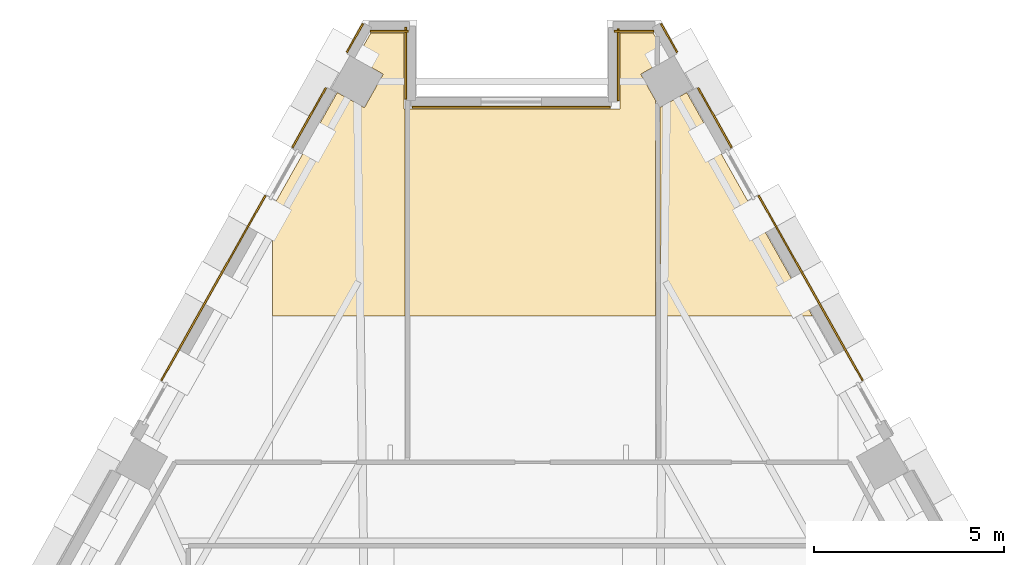
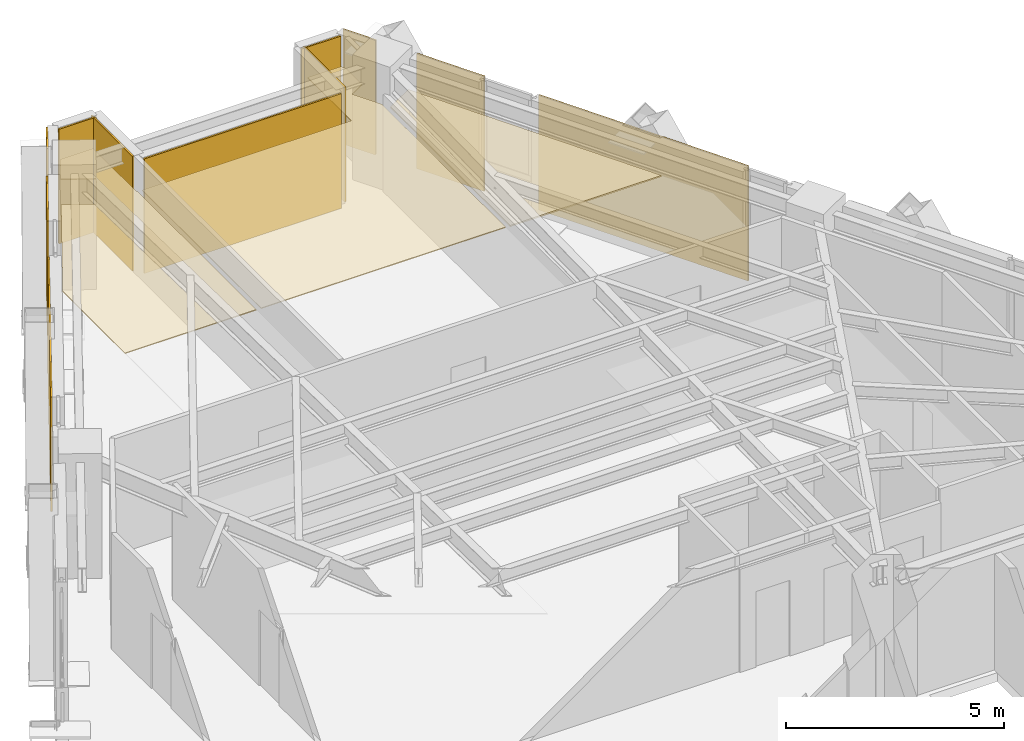
# One storey, part 13 of 13: 14 coverings.
"""IFC4 building model written with IfcOpenShell, lengths in metres."""

from ifc_helpers import new_model, si_unit, direction, frame, origin, place, context, subcontext, project, spatial, polyline, outline, extrude, material, layer, layer_set, type_object, element, save


model = new_model("IFC4")

# Units and contexts
model_context = context("Model", 3, precision=1e-05, world=origin(), true_north=direction((0.0, 1.0)))
body_context = subcontext(model_context, "Body", "Model", "MODEL_VIEW")
ifc_project = project(units=[si_unit("LENGTHUNIT", "METRE"), si_unit("AREAUNIT", "SQUARE_METRE"), si_unit("VOLUMEUNIT", "CUBIC_METRE"), si_unit("PLANEANGLEUNIT", "RADIAN"), si_unit("MASSUNIT", "GRAM", prefix="KILO")], contexts=[model_context])

# Site, building, storey
site_placement = place(None, origin())
site = spatial("IfcSite", under=ifc_project, at=site_placement, CompositionType="ELEMENT")
building_placement = place(site_placement, origin())
building = spatial("IfcBuilding", under=site, at=building_placement, Name="Quenlor Broadcast Tower", CompositionType="ELEMENT")
storey_placement = place(building_placement, frame((0.0, 0.0, 158.0)))
storey = spatial("IfcBuildingStorey", under=building, at=storey_placement, Name="L43", CompositionType="ELEMENT", Elevation=158.0)

# Coverings
ifc_material_1 = material(Name="Acoustic Mineral Fibre Board", Category="other")
ifc_layer_1 = layer(ifc_material_1, 0.02490234375)
ifc_layer_set_1 = layer_set([ifc_layer_1], Name="Acoustic Perforated Mineral Tile Ceiling 25")
covering_type_1 = type_object("IfcCoveringType", Name="Acoustic Perforated Mineral Tile Ceiling 25", PredefinedType="CEILING", material=ifc_layer_set_1)
covering_1_placement = place(storey_placement, frame((0.0, 0.0, 2.375)))
element("IfcCovering", 1, at=covering_1_placement, inside=storey, type_object=covering_type_1, Name="L43 Acoustic Ceiling L43-28-2", PredefinedType="CEILING", context=body_context, shape_type="SweptSolid", body=[
    extrude(outline(polyline([(-6.300048828125, 15.506591796875), (-4.598388671875, 18.53125), (-3.885498046875, 18.13037109375), (-3.387451171875, 19.015869140625), (-4.100341796875, 19.416748046875), (-3.71630859375, 20.10009765625), (-2.840087890625, 20.10009765625), (-2.840087890625, 18.10009765625), (-2.81787109375, 18.10009765625), (-2.81787109375, 12.64990234375), (-6.300048828125, 12.64990234375), (-6.300048828125, 15.506591796875)])), origin(), (0.0, 0.0, 1.0), 0.02490234375),
])
covering_2_placement = place(storey_placement, frame((0.0, 0.0, 2.375)))
element("IfcCovering", 2, at=covering_2_placement, inside=storey, type_object=covering_type_1, Name="L43 Acoustic Ceiling L43-29-2", PredefinedType="CEILING", context=body_context, shape_type="SweptSolid", body=[
    extrude(outline(polyline([(3.780029296875, 19.986572265625), (3.780029296875, 19.236572265625), (3.387451171875, 19.015869140625), (3.780029296875, 18.318115234375), (3.780029296875, 12.64990234375), (-2.69775390625, 12.64990234375), (-2.69775390625, 18.10009765625), (2.840087890625, 18.10009765625), (2.840087890625, 20.10009765625), (3.71630859375, 20.10009765625), (3.780029296875, 19.986572265625)])), origin(), (0.0, 0.0, 1.0), 0.02490234375),
])
ifc_material_2 = material(Name="Acoustic Gypsum Board", Category="other")
ifc_layer_2 = layer(ifc_material_2, 0.0400390625)
ifc_layer_set_2 = layer_set([ifc_layer_2], Name="Broadcast Studio Spring Isolated Ceiling 40")
covering_type_2 = type_object("IfcCoveringType", Name="Broadcast Studio Spring Isolated Ceiling 40", PredefinedType="CEILING", material=ifc_layer_set_2)
covering_3_placement = place(storey_placement, frame((0.0, 0.0, 2.360107421875)))
element("IfcCovering", 3, at=covering_3_placement, inside=storey, type_object=covering_type_2, Name="L43 Acoustic Ceiling L43-30-2", PredefinedType="CEILING", context=body_context, shape_type="SweptSolid", body=[
    extrude(outline(polyline([(3.89990234375, 18.138427734375), (4.598388671875, 18.53125), (7.90673828125, 12.64990234375), (3.89990234375, 12.64990234375), (3.89990234375, 18.138427734375)])), origin(), (0.0, 0.0, 1.0), 0.039794921875),
])
ifc_material_3 = material(Name="Architectural Terracotta Ceramic", Category="masonry")
ifc_layer_3 = layer(ifc_material_3, 0.044921875)
ifc_layer_set_3 = layer_set([ifc_layer_3], Name="Fluted Terracotta Rainscreen Cladding Panel")
covering_type_3 = type_object("IfcCoveringType", Name="Fluted Terracotta Rainscreen Cladding Panel", PredefinedType="CLADDING", material=ifc_layer_set_3)
covering_4_placement = place(storey_placement, frame((0.0, 0.0, 0.02001953125)))
element("IfcCovering", 4, at=covering_4_placement, inside=storey, type_object=covering_type_3, Name="L43 Terracotta Rainscreen Cladding L43-SHD-NES0", PredefinedType="CLADDING", context=body_context, shape_type="SweptSolid", body=[
    extrude(outline(polyline([(3.904296875, 20.330810546875), (4.32861328125, 19.576171875), (4.367919921875, 19.59814453125), (3.943359375, 20.352783203125), (3.904296875, 20.330810546875)])), origin(), (0.0, 0.0, 1.0), 3.2099609375),
])
covering_5_placement = place(storey_placement, frame((0.0, 0.0, 0.02001953125)))
element("IfcCovering", 5, at=covering_5_placement, inside=storey, type_object=covering_type_3, Name="L43 Terracotta Rainscreen Cladding L43-NEA-SP1", PredefinedType="CLADDING", context=body_context, shape_type="SweptSolid", body=[
    extrude(outline(polyline([(4.880615234375, 18.635986328125), (5.760986328125, 17.070556640625), (5.80029296875, 17.092529296875), (4.919677734375, 18.657958984375), (4.880615234375, 18.635986328125)])), origin(), (0.0, 0.0, 1.0), 3.2099609375),
])
covering_6_placement = place(storey_placement, frame((0.0, 0.0, 0.02001953125)))
element("IfcCovering", 6, at=covering_6_placement, inside=storey, type_object=covering_type_3, Name="L43 Terracotta Rainscreen Cladding L43-NEA-SP2", PredefinedType="CLADDING", context=body_context, shape_type="SweptSolid", body=[
    extrude(outline(polyline([(6.4716796875, 15.806884765625), (9.208984375, 10.940673828125), (9.248291015625, 10.962646484375), (6.510986328125, 15.8291015625), (6.4716796875, 15.806884765625)])), origin(), (0.0, 0.0, 1.0), 3.2099609375),
])
covering_7_placement = place(storey_placement, frame((0.0, 0.0, 0.02001953125)))
element("IfcCovering", 7, at=covering_7_placement, inside=storey, type_object=covering_type_3, Name="L43 Terracotta Rainscreen Cladding L43-SHD-NWS1", PredefinedType="CLADDING", context=body_context, shape_type="SweptSolid", body=[
    extrude(outline(polyline([(-4.32861328125, 19.576171875), (-3.904296875, 20.330810546875), (-3.943359375, 20.352783203125), (-4.367919921875, 19.59814453125), (-4.32861328125, 19.576171875)])), origin(), (0.0, 0.0, 1.0), 3.2099609375),
])
covering_8_placement = place(storey_placement, frame((0.0, 0.0, 0.02001953125)))
element("IfcCovering", 8, at=covering_8_placement, inside=storey, type_object=covering_type_3, Name="L43 Terracotta Rainscreen Cladding L43-NWC-SP2", PredefinedType="CLADDING", context=body_context, shape_type="SweptSolid", body=[
    extrude(outline(polyline([(-9.208984375, 10.940673828125), (-6.4716796875, 15.806884765625), (-6.510986328125, 15.8291015625), (-9.248291015625, 10.962646484375), (-9.208984375, 10.940673828125)])), origin(), (0.0, 0.0, 1.0), 3.2099609375),
])
covering_9_placement = place(storey_placement, frame((0.0, 0.0, 0.02001953125)))
element("IfcCovering", 9, at=covering_9_placement, inside=storey, type_object=covering_type_3, Name="L43 Terracotta Rainscreen Cladding L43-NWC-SP3", PredefinedType="CLADDING", context=body_context, shape_type="SweptSolid", body=[
    extrude(outline(polyline([(-5.760986328125, 17.070556640625), (-4.880615234375, 18.635986328125), (-4.919677734375, 18.657958984375), (-5.80029296875, 17.092529296875), (-5.760986328125, 17.070556640625)])), origin(), (0.0, 0.0, 1.0), 3.2099609375),
])
covering_10_placement = place(storey_placement, frame((0.0, 0.0, 0.02001953125)))
element("IfcCovering", 10, at=covering_10_placement, inside=storey, type_object=covering_type_3, Name="L43 Terracotta Rainscreen Cladding L43-CNR-06", PredefinedType="CLADDING", context=body_context, shape_type="SweptSolid", body=[
    extrude(outline(polyline([(3.7314453125, 20.16796875), (2.68994140625, 20.16796875), (2.68994140625, 20.123046875), (3.7314453125, 20.123046875), (3.7314453125, 20.16796875)])), origin(), (0.0, 0.0, 1.0), 3.2099609375),
])
covering_11_placement = place(storey_placement, frame((0.0, 0.0, 0.02001953125)))
element("IfcCovering", 11, at=covering_11_placement, inside=storey, type_object=covering_type_3, Name="L43 Terracotta Rainscreen Cladding L43-CNR-07", PredefinedType="CLADDING", context=body_context, shape_type="SweptSolid", body=[
    extrude(outline(polyline([(2.77197265625, 20.2099609375), (2.77197265625, 18.31005859375), (2.81689453125, 18.31005859375), (2.81689453125, 20.2099609375), (2.77197265625, 20.2099609375)])), origin(), (0.0, 0.0, 1.0), 3.2099609375),
])
covering_12_placement = place(storey_placement, frame((0.0, 0.0, 0.02001953125)))
element("IfcCovering", 12, at=covering_12_placement, inside=storey, type_object=covering_type_3, Name="L43 Terracotta Rainscreen Cladding L43-CNR-08", PredefinedType="CLADDING", context=body_context, shape_type="SweptSolid", body=[
    extrude(outline(polyline([(2.590087890625, 18.16796875), (-2.6298828125, 18.16796875), (-2.6298828125, 18.123046875), (2.590087890625, 18.123046875), (2.590087890625, 18.16796875)])), origin(), (0.0, 0.0, 1.0), 3.2099609375),
])
covering_13_placement = place(storey_placement, frame((0.0, 0.0, 0.02001953125)))
element("IfcCovering", 13, at=covering_13_placement, inside=storey, type_object=covering_type_3, Name="L43 Terracotta Rainscreen Cladding L43-CNR-09", PredefinedType="CLADDING", context=body_context, shape_type="SweptSolid", body=[
    extrude(outline(polyline([(-2.77197265625, 18.35009765625), (-2.77197265625, 20.25), (-2.81689453125, 20.25), (-2.81689453125, 18.35009765625), (-2.77197265625, 18.35009765625)])), origin(), (0.0, 0.0, 1.0), 3.2099609375),
])
covering_14_placement = place(storey_placement, frame((0.0, 0.0, 0.02001953125)))
element("IfcCovering", 14, at=covering_14_placement, inside=storey, type_object=covering_type_3, Name="L43 Terracotta Rainscreen Cladding L43-CNR-10", PredefinedType="CLADDING", context=body_context, shape_type="SweptSolid", body=[
    extrude(outline(polyline([(-2.72998046875, 20.16796875), (-3.7314453125, 20.16796875), (-3.7314453125, 20.123046875), (-2.72998046875, 20.123046875), (-2.72998046875, 20.16796875)])), origin(), (0.0, 0.0, 1.0), 3.2099609375),
])

save(model, "model.ifc")
